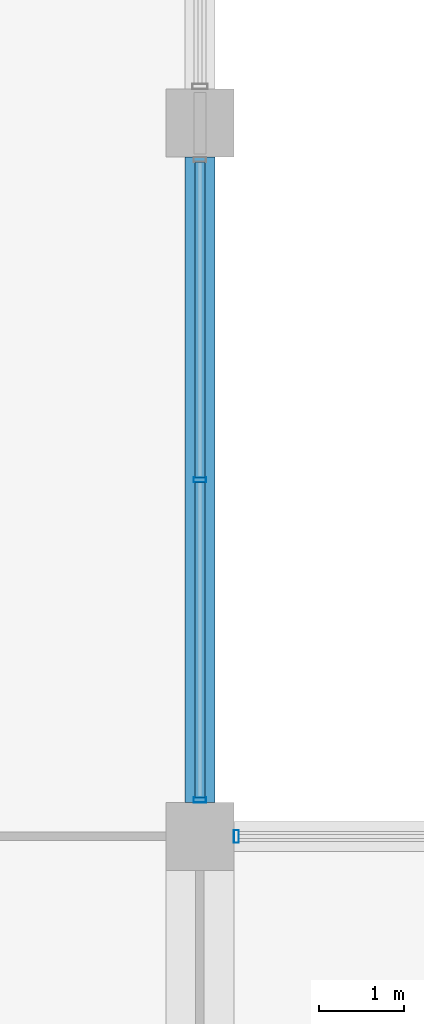
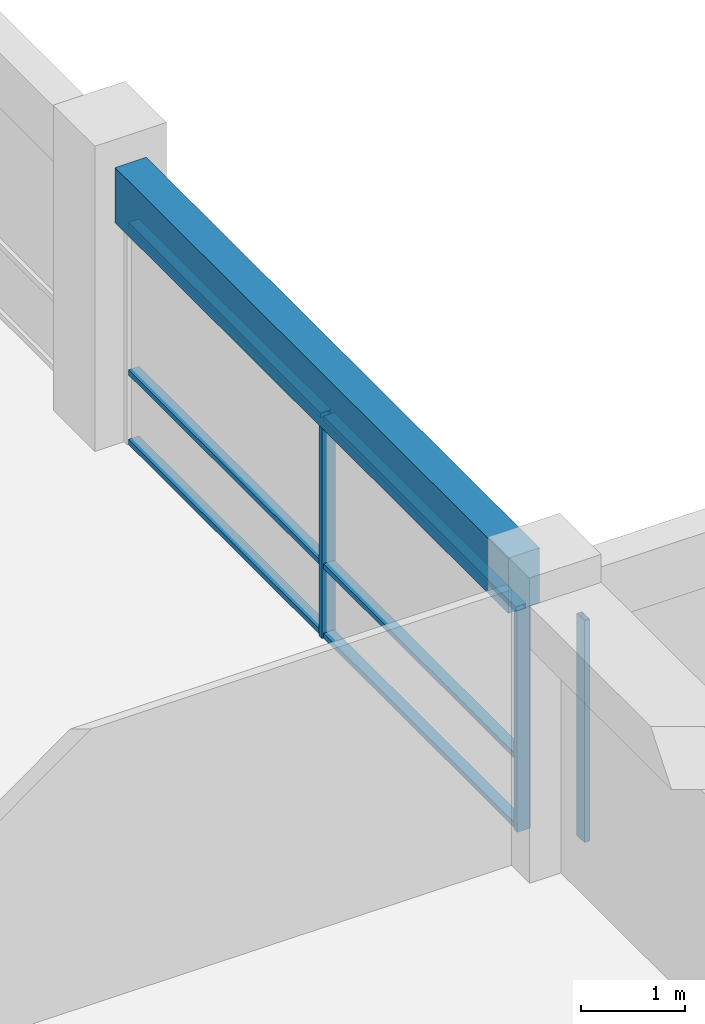
# One storey, part 7 of 50: 9 members, 1 beam, 2 elements without a shape of their own.
"""IFC4 building model written with IfcOpenShell, lengths in metres."""

from ifc_helpers import new_model, si_unit, direction, frame, origin, origin_2d, place, context, subcontext, project, spatial, rectangle, hollow_rectangle, extrude, material, material_profile, profile_set, type_object, element, aggregate, save


model = new_model("IFC4")

# Units and contexts
model_context = context("Model", 3, precision=1e-05, world=origin(), true_north=direction((0.0, 1.0)))
body_context = subcontext(model_context, "Body", "Model", "MODEL_VIEW")
ifc_project = project(units=[si_unit("LENGTHUNIT", "METRE"), si_unit("AREAUNIT", "SQUARE_METRE"), si_unit("VOLUMEUNIT", "CUBIC_METRE"), si_unit("PLANEANGLEUNIT", "RADIAN"), si_unit("MASSUNIT", "GRAM", prefix="KILO"), si_unit("THERMODYNAMICTEMPERATUREUNIT", "KELVIN"), si_unit("POWERUNIT", "WATT")], contexts=[model_context])

# Site, building, storey
site_placement = place(None, origin())
site = spatial("IfcSite", under=ifc_project, at=site_placement, CompositionType="ELEMENT")
building_placement = place(site_placement, origin())
building = spatial("IfcBuilding", under=site, at=building_placement, Name="Srebrne Nadtorze General Hospital", CompositionType="ELEMENT")
storey_placement = place(building_placement, frame((0.0, 0.0, 14.39990234375)))
storey = spatial("IfcBuildingStorey", under=building, at=storey_placement, Name="L03", CompositionType="ELEMENT", Elevation=14.39990234375)

# Curtain wall, member
ifc_material_1 = material(Name="Anodised Aluminium", Category="aluminium")
curtain_wall_type_1 = type_object("IfcCurtainWallType", Name="Unitised curtain wall 7000x2620", PredefinedType="NOTDEFINED", material=ifc_material_1)
curtain_wall_1_placement = place(storey_placement, origin())
curtain_wall_1 = element("IfcCurtainWall", 1, at=curtain_wall_1_placement, inside=storey, type_object=curtain_wall_type_1, Name="Curtain wall CW-090", PredefinedType="NOTDEFINED")
ifc_material_2 = material(Name="Anodised Aluminium", Category="aluminium")
ifc_material_profile_1 = material_profile(ifc_material_2, hollow_rectangle(XDim=0.06005859375, YDim=0.14990234375, WallThickness=0.00390625, at=origin_2d()), Name="AL-MUL-60x150")
ifc_profile_set_1 = profile_set([ifc_material_profile_1], Name="Anodised Aluminium")
member_type_1 = type_object("IfcMemberType", Name="Curtain mullion 60x150", PredefinedType="MULLION", material=ifc_profile_set_1)
member_1_placement = place(storey_placement, frame((117.429931640625, 8.39990234375, 0.0), z_axis=(0.0, 0.0, 1.0), x_axis=(1.0, 0.0, 0.0)))
member_1 = element("IfcMember", 2, at=member_1_placement, type_object=member_type_1, Name="CW-090 mullion 1", PredefinedType="MULLION", context=body_context, shape_type="SweptSolid", body=[
    extrude(hollow_rectangle(XDim=0.06005859375, YDim=0.14990234375, WallThickness=0.00390625, at=origin_2d()), origin(), (0.0, 0.0, 1.0), 2.6201171875),
])
aggregate(curtain_wall_1, [member_1])

# Curtain wall, members
ifc_material_3 = material(Name="Anodised Aluminium", Category="aluminium")
curtain_wall_type_2 = type_object("IfcCurtainWallType", Name="Unitised curtain wall 7600x2620", PredefinedType="NOTDEFINED", material=ifc_material_3)
curtain_wall_2_placement = place(storey_placement, origin())
curtain_wall_2 = element("IfcCurtainWall", 3, at=curtain_wall_2_placement, inside=storey, type_object=curtain_wall_type_2, Name="Curtain wall CW-098", PredefinedType="NOTDEFINED")
member_2_placement = place(storey_placement, frame((117.0, 8.830078125, 0.0), z_axis=(0.0, 0.0, 1.0), x_axis=(0.0, 1.0, 0.0)))
member_2 = element("IfcMember", 4, at=member_2_placement, type_object=member_type_1, Name="CW-098 mullion 1", PredefinedType="MULLION", context=body_context, shape_type="SweptSolid", body=[
    extrude(hollow_rectangle(XDim=0.06005859375, YDim=0.14990234375, WallThickness=0.00390625, at=origin_2d()), origin(), (0.0, 0.0, 1.0), 2.6201171875),
])
member_3_placement = place(storey_placement, frame((117.0, 12.60009765625, 0.0), z_axis=(0.0, 0.0, 1.0), x_axis=(0.0, 1.0, 0.0)))
member_3 = element("IfcMember", 5, at=member_3_placement, type_object=member_type_1, Name="CW-098 mullion 2", PredefinedType="MULLION", context=body_context, shape_type="SweptSolid", body=[
    extrude(hollow_rectangle(XDim=0.06005859375, YDim=0.14990234375, WallThickness=0.00390625, at=origin_2d()), origin(), (0.0, 0.0, 1.0), 2.6201171875),
])
ifc_material_4 = material(Name="Anodised Aluminium", Category="aluminium")
ifc_material_profile_2 = material_profile(ifc_material_4, hollow_rectangle(XDim=0.06005859375, YDim=0.1201171875, WallThickness=0.00390625, at=origin_2d()), Name="AL-TRN-60x120")
ifc_profile_set_2 = profile_set([ifc_material_profile_2], Name="Anodised Aluminium")
member_type_2 = type_object("IfcMemberType", Name="Curtain transom 60x120", PredefinedType="USERDEFINED", material=ifc_profile_set_2)
member_4_placement = place(storey_placement, frame((117.0, 8.860107421875, 0.030029296875), z_axis=(0.0, 1.0, 0.0), x_axis=(0.0, 0.0, 1.0)))
member_4 = element("IfcMember", 6, at=member_4_placement, type_object=member_type_2, Name="CW-098 transom 1.1", ObjectType="TRANSOM", PredefinedType="USERDEFINED", context=body_context, shape_type="SweptSolid", body=[
    extrude(hollow_rectangle(XDim=0.06005859375, YDim=0.1201171875, WallThickness=0.00390625, at=origin_2d()), origin(), (0.0, 0.0, 1.0), 3.7099609375),
])
member_5_placement = place(storey_placement, frame((117.0, 8.860107421875, 0.85009765625), z_axis=(0.0, 1.0, 0.0), x_axis=(0.0, 0.0, 1.0)))
member_5 = element("IfcMember", 7, at=member_5_placement, type_object=member_type_2, Name="CW-098 transom 1.2", ObjectType="TRANSOM", PredefinedType="USERDEFINED", context=body_context, shape_type="SweptSolid", body=[
    extrude(hollow_rectangle(XDim=0.06005859375, YDim=0.1201171875, WallThickness=0.00390625, at=origin_2d()), origin(), (0.0, 0.0, 1.0), 3.7099609375),
])
member_6_placement = place(storey_placement, frame((117.0, 8.860107421875, 2.590087890625), z_axis=(0.0, 1.0, 0.0), x_axis=(0.0, 0.0, 1.0)))
member_6 = element("IfcMember", 8, at=member_6_placement, type_object=member_type_2, Name="CW-098 transom 1.3", ObjectType="TRANSOM", PredefinedType="USERDEFINED", context=body_context, shape_type="SweptSolid", body=[
    extrude(hollow_rectangle(XDim=0.06005859375, YDim=0.1201171875, WallThickness=0.00390625, at=origin_2d()), origin(), (0.0, 0.0, 1.0), 3.7099609375),
])
member_7_placement = place(storey_placement, frame((117.0, 12.6298828125, 0.030029296875), z_axis=(0.0, 1.0, 0.0), x_axis=(0.0, 0.0, 1.0)))
member_7 = element("IfcMember", 9, at=member_7_placement, type_object=member_type_2, Name="CW-098 transom 2.1", ObjectType="TRANSOM", PredefinedType="USERDEFINED", context=body_context, shape_type="SweptSolid", body=[
    extrude(hollow_rectangle(XDim=0.06005859375, YDim=0.1201171875, WallThickness=0.00390625, at=origin_2d()), origin(), (0.0, 0.0, 1.0), 3.710205078125),
])
member_8_placement = place(storey_placement, frame((117.0, 12.6298828125, 0.85009765625), z_axis=(0.0, 1.0, 0.0), x_axis=(0.0, 0.0, 1.0)))
member_8 = element("IfcMember", 10, at=member_8_placement, type_object=member_type_2, Name="CW-098 transom 2.2", ObjectType="TRANSOM", PredefinedType="USERDEFINED", context=body_context, shape_type="SweptSolid", body=[
    extrude(hollow_rectangle(XDim=0.06005859375, YDim=0.1201171875, WallThickness=0.00390625, at=origin_2d()), origin(), (0.0, 0.0, 1.0), 3.710205078125),
])
member_9_placement = place(storey_placement, frame((117.0, 12.6298828125, 2.590087890625), z_axis=(0.0, 1.0, 0.0), x_axis=(0.0, 0.0, 1.0)))
member_9 = element("IfcMember", 11, at=member_9_placement, type_object=member_type_2, Name="CW-098 transom 2.3", ObjectType="TRANSOM", PredefinedType="USERDEFINED", context=body_context, shape_type="SweptSolid", body=[
    extrude(hollow_rectangle(XDim=0.06005859375, YDim=0.1201171875, WallThickness=0.00390625, at=origin_2d()), origin(), (0.0, 0.0, 1.0), 3.710205078125),
])
aggregate(curtain_wall_2, [member_2, member_3, member_4, member_5, member_6, member_7, member_8, member_9])

# Beam
ifc_material_5 = material(Name="Concrete C35/45", Category="concrete")
ifc_material_profile_3 = material_profile(ifc_material_5, rectangle(XDim=0.35009765625, YDim=0.64990234375, at=origin_2d()), Name="RC-BM-350x650")
ifc_profile_set_3 = profile_set([ifc_material_profile_3], Name="Concrete C35/45")
beam_type = type_object("IfcBeamType", Name="Edge beam RC 350x650", PredefinedType="BEAM", material=ifc_profile_set_3)
beam_placement = place(storey_placement, frame((117.0, 8.800048828125, 2.945068359375), z_axis=(0.0, 1.0, 0.0), x_axis=(-1.0, 0.0, 0.0)))
element("IfcBeam", 12, at=beam_placement, inside=storey, type_object=beam_type, Name="Beam BM-L03-Y-0827", PredefinedType="BEAM", context=body_context, shape_type="SweptSolid", body=[
    extrude(rectangle(XDim=0.35009765625, YDim=0.64990234375, at=origin_2d()), origin(), (0.0, 0.0, 1.0), 7.599853515625),
])

save(model, "model.ifc")
